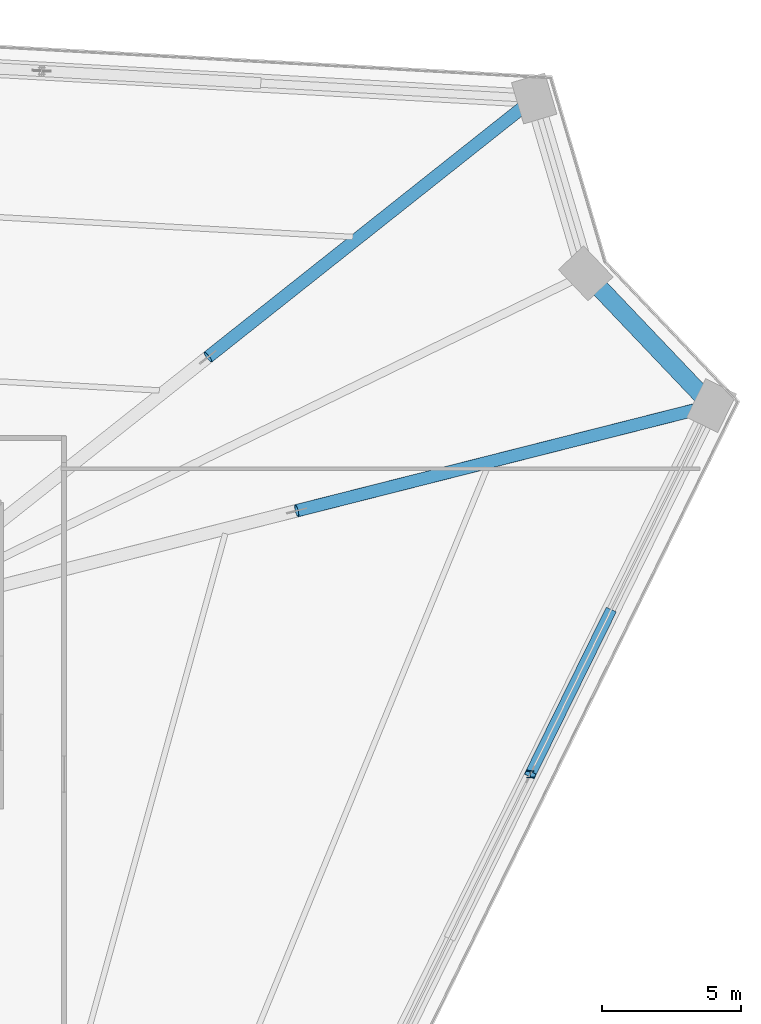
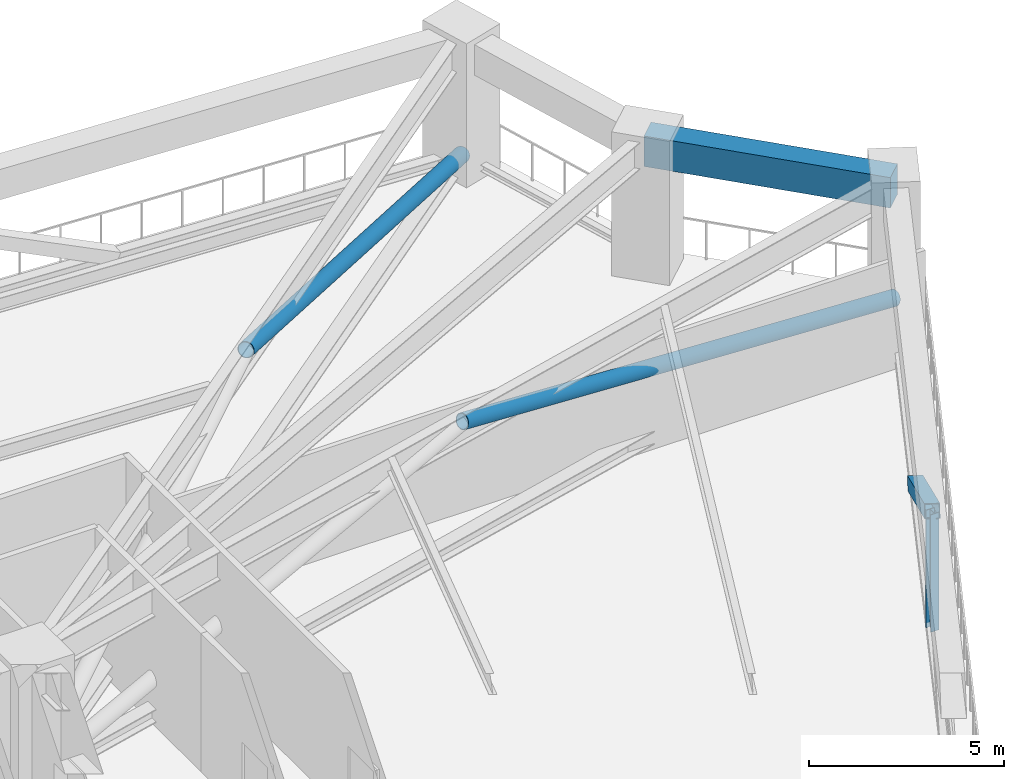
# One storey, part 8 of 25: 4 members, 1 beam.
"""IFC4 building model written with IfcOpenShell, lengths in metres."""

from ifc_helpers import new_model, si_unit, direction, frame, origin, origin_2d, place, context, subcontext, project, spatial, rectangle, hollow_rectangle, hollow_circle, i_section, extrude, source, transform, mapped, material, material_profile, profile_set, type_object, element, save


model = new_model("IFC4")

# Units and contexts
model_context = context("Model", 3, precision=1e-05, world=origin(), true_north=direction((0.0, 1.0)))
body_context = subcontext(model_context, "Body", "Model", "MODEL_VIEW")
ifc_project = project(units=[si_unit("LENGTHUNIT", "METRE"), si_unit("AREAUNIT", "SQUARE_METRE"), si_unit("VOLUMEUNIT", "CUBIC_METRE"), si_unit("PLANEANGLEUNIT", "RADIAN"), si_unit("MASSUNIT", "GRAM", prefix="KILO")], contexts=[model_context])

# Site, building, storey
site_placement = place(None, origin())
site = spatial("IfcSite", under=ifc_project, at=site_placement, CompositionType="ELEMENT")
building_placement = place(site_placement, origin())
building = spatial("IfcBuilding", under=site, at=building_placement, Name="Liaohun Quay Tower", CompositionType="ELEMENT")
storey_placement = place(building_placement, frame((0.0, 0.0, 47.25)))
storey = spatial("IfcBuildingStorey", under=building, at=storey_placement, Name="L12", CompositionType="ELEMENT", Elevation=47.25)

# Beam
ifc_material_1 = material(Name="Precast concrete C55", Category="concrete")
ifc_material_profile_1 = material_profile(ifc_material_1, rectangle(XDim=0.64990234375, YDim=0.949951171875, at=origin_2d()), Name="RC650x950")
ifc_profile_set_1 = profile_set([ifc_material_profile_1], Name="Precast concrete C55")
beam_type = type_object("IfcBeamType", Name="BM-SPD-Z1", PredefinedType="SPANDREL", material=ifc_profile_set_1)
shared_shape_1 = source(origin(), body_context, "Body", "SweptSolid", [
    extrude(rectangle(XDim=0.64990234375, YDim=0.949951171875, at=origin_2d()), origin(), (0.0, 0.0, 1.0), 6.577392578125),
])
beam_placement = place(storey_placement, frame((94.360107421875, 73.837890625, 3.844970703125), z_axis=(0.68933162792, -0.724445930866, 0.0), x_axis=(0.724445930866, 0.68933162792, 0.0)))
element("IfcBeam", 1, at=beam_placement, inside=storey, type_object=beam_type, Name="L12 Precast Spandrel Beam PC08-PC09", PredefinedType="SPANDREL", context=body_context, shape_type="MappedRepresentation", body=[
    mapped(shared_shape_1, transform((0.0, 0.0, 0.0), x_axis=(1.0, 0.0, 0.0), y_axis=(0.0, 1.0, 0.0), z_axis=(0.0, 0.0, 1.0), scale=1.0)),
])

# Members
ifc_material_2 = material(Name="Steel Q420D", Category="steel")
ifc_material_profile_2 = material_profile(ifc_material_2, hollow_circle(Radius=0.228515625, WallThickness=0.02001953125, at=origin_2d()), Name="CHS457x20")
ifc_profile_set_2 = profile_set([ifc_material_profile_2], Name="Steel Q420D")
member_type_1 = type_object("IfcMemberType", Name="MEM-OUT-DG1", PredefinedType="BRACE", material=ifc_profile_set_2)
shared_shape_2 = source(origin(), body_context, "Body", "SweptSolid", [
    extrude(hollow_circle(Radius=0.228515625, WallThickness=0.02001953125, at=origin_2d()), origin(), (0.0, 0.0, 1.0), 15.440673828125),
])
member_1_placement = place(storey_placement, frame((80.7509765625, 70.820068359375, 4.02001953125), z_axis=(0.761042805389, 0.603591125508, -0.237679619601), x_axis=(-0.621398156714, 0.783494946271, 0.0)))
element("IfcMember", 2, at=member_1_placement, inside=storey, type_object=member_type_1, Name="L12 Outrigger Diagonal OD-04B", PredefinedType="BRACE", context=body_context, shape_type="MappedRepresentation", body=[
    mapped(shared_shape_2, transform((0.0, 0.0, 0.0), x_axis=(1.0, 0.0, 0.0), y_axis=(0.0, 1.0, 0.0), z_axis=(0.0, 0.0, 1.0), scale=1.0)),
])
shared_shape_3 = source(origin(), body_context, "Body", "SweptSolid", [
    extrude(hollow_circle(Radius=0.228515625, WallThickness=0.02001953125, at=origin_2d()), origin(), (0.0, 0.0, 1.0), 15.85009765625),
])
member_2_placement = place(storey_placement, frame((83.947021484375, 65.285888671875, 4.02001953125), z_axis=(0.943026977808, 0.238933643888, -0.231540132473), x_axis=(-0.24560795337, 0.969369245046, 0.0)))
element("IfcMember", 3, at=member_2_placement, inside=storey, type_object=member_type_1, Name="L12 Outrigger Diagonal OD-05B", PredefinedType="BRACE", context=body_context, shape_type="MappedRepresentation", body=[
    mapped(shared_shape_3, transform((0.0, 0.0, 0.0), x_axis=(1.0, 0.0, 0.0), y_axis=(0.0, 1.0, 0.0), z_axis=(0.0, 0.0, 1.0), scale=1.0)),
])
ifc_material_3 = material(Name="Steel Q355D", Category="steel")
ifc_material_profile_3 = material_profile(ifc_material_3, i_section(OverallWidth=0.25, OverallDepth=0.25, WebThickness=0.009033203125, FlangeThickness=0.013916015625, at=origin_2d()), Name="HW250x250x9x14")
ifc_profile_set_3 = profile_set([ifc_material_profile_3], Name="Steel Q355D")
member_type_2 = type_object("IfcMemberType", Name="MEM-BLT-PST", PredefinedType="POST", material=ifc_profile_set_3)
shared_shape_4 = source(origin(), body_context, "Body", "SweptSolid", [
    extrude(i_section(OverallWidth=0.25, OverallDepth=0.25, WebThickness=0.009033203125, FlangeThickness=0.013916015625, at=origin_2d()), origin(), (0.0, 0.0, 1.0), 3.669921875),
])
member_3_placement = place(storey_placement, frame((92.364013671875, 55.798095703125, 0.35009765625), z_axis=(0.0, 0.0, 1.0), x_axis=(1.0, 0.0, 0.0)))
element("IfcMember", 4, at=member_3_placement, inside=storey, type_object=member_type_2, Name="L12 Belt Truss Vertical Post BP-1-05", PredefinedType="POST", context=body_context, shape_type="MappedRepresentation", body=[
    mapped(shared_shape_4, transform((0.0, 0.0, 0.0), x_axis=(1.0, 0.0, 0.0), y_axis=(0.0, 1.0, 0.0), z_axis=(0.0, 0.0, 1.0), scale=1.0)),
])
ifc_material_profile_4 = material_profile(ifc_material_2, hollow_rectangle(XDim=0.39990234375, YDim=0.39990234375, WallThickness=0.02001953125, at=origin_2d()), Name="SHS400x400x20")
ifc_profile_set_4 = profile_set([ifc_material_profile_4], Name="Steel Q420D")
member_type_3 = type_object("IfcMemberType", Name="MEM-BLT-DG1", PredefinedType="BRACE", material=ifc_profile_set_4)
shared_shape_5 = source(origin(), body_context, "Body", "SweptSolid", [
    extrude(hollow_rectangle(XDim=0.39990234375, YDim=0.39990234375, WallThickness=0.02001953125, at=origin_2d()), origin(), (0.0, 0.0, 1.0), 7.472412109375),
])
member_4_placement = place(storey_placement, frame((95.237060546875, 61.638916015625, 0.35009765625), z_axis=(-0.384483889489, -0.781644508169, 0.491125240211), x_axis=(0.897318795933, -0.441383029199, 0.0)))
element("IfcMember", 5, at=member_4_placement, inside=storey, type_object=member_type_3, Name="L12 Belt Truss Diagonal BD-05A", PredefinedType="BRACE", context=body_context, shape_type="MappedRepresentation", body=[
    mapped(shared_shape_5, transform((0.0, 0.0, 0.0), x_axis=(1.0, 0.0, 0.0), y_axis=(0.0, 1.0, 0.0), z_axis=(0.0, 0.0, 1.0), scale=1.0)),
])

save(model, "model.ifc")
